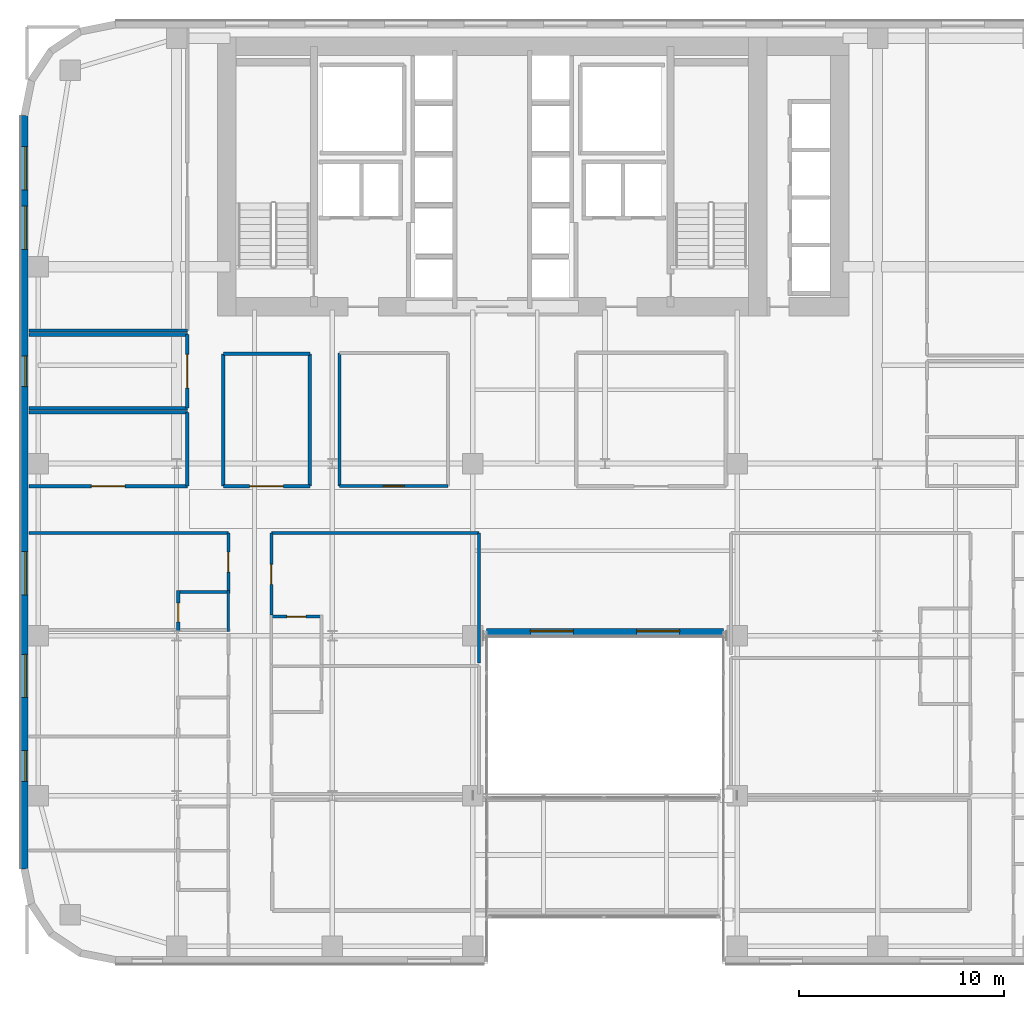
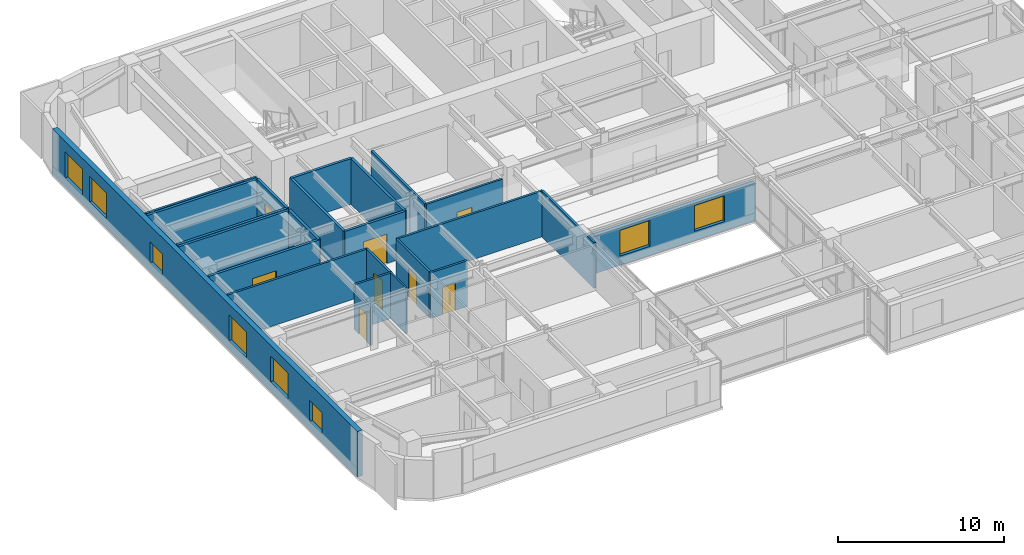
# One storey, part 22 of 31: 24 walls, 8 doors, 8 windows, 16 openings.
"""IFC4 building model written with IfcOpenShell, lengths in metres."""

import ifcopenshell
import ifcopenshell.guid

model = None  # the IFC model being written
_history = None  # IfcOwnerHistory: only IFC2X3 demands one
_inside = {}  # id of a spatial element -> (the spatial element, [elements in it])
_under = {}  # id of a project, library or spatial element -> (it, [spatial elements below it])
_declared = {}  # id of a project -> (the project, [libraries it declares])
_typed = {}  # id of a type object -> (the type object, [elements of that type])
_made_of = {}  # id of a material, layer set ... -> (it, [elements and type objects made of it])


def new_model(schema):
    """Start an empty IFC model of exactly this schema.

    Asked for "IFC4X3", IfcOpenShell would pick the latest addendum, in which some entities
    have other attributes; the version numbers below select the first issue.
    IFC2X3 requires an IfcOwnerHistory on every rooted entity: one is made here for all.
    """
    global model, _history
    if schema == "IFC4X3":
        model = ifcopenshell.file(schema_version=(4, 3, 0, 0))
    else:
        model = ifcopenshell.file(schema=schema)
    _inside.clear()
    _under.clear()
    _declared.clear()
    _typed.clear()
    _made_of.clear()
    _history = None
    if model.schema == "IFC2X3":
        org = make("IfcOrganization", Name="unknown")
        user = make(
            "IfcPersonAndOrganization",
            ThePerson=make("IfcPerson", FamilyName="unknown"),
            TheOrganization=org,
        )
        app = make(
            "IfcApplication",
            ApplicationDeveloper=org,
            Version="unknown",
            ApplicationFullName="unknown",
            ApplicationIdentifier="unknown",
        )
        _history = make(
            "IfcOwnerHistory",
            OwningUser=user,
            OwningApplication=app,
            ChangeAction="ADDED",
            CreationDate=0,
        )
    return model


def make(cls, **values):
    """One entity of the class cls with the attributes given. An attribute that is None is left unset."""
    return model.create_entity(
        cls, **{name: value for name, value in values.items() if value is not None}
    )


def rooted(cls, **values):
    """An entity with a GlobalId (a new one), such as an element, a storey or a relation."""
    return make(cls, GlobalId=ifcopenshell.guid.new(), OwnerHistory=_history, **values)


def si_unit(unit_type, name, prefix=None):
    """IfcSIUnit, for example si_unit("LENGTHUNIT", "METRE", prefix="MILLI")."""
    return make("IfcSIUnit", UnitType=unit_type, Prefix=prefix, Name=name)


def assignment(units):
    """IfcUnitAssignment: the units of a project."""
    return None if units is None else make("IfcUnitAssignment", Units=units)


def point(xyz):
    """IfcCartesianPoint."""
    return None if xyz is None else make("IfcCartesianPoint", Coordinates=xyz)


def direction(xyz):
    """IfcDirection."""
    return None if xyz is None else make("IfcDirection", DirectionRatios=xyz)


def frame(location, z_axis=None, x_axis=None):
    """IfcAxis2Placement3D, a coordinate frame: its origin and axes. An axis left out is left unset."""
    return make(
        "IfcAxis2Placement3D",
        Location=point(location),
        Axis=direction(z_axis),
        RefDirection=direction(x_axis),
    )


def frame_2d(location, x_axis=None):
    """IfcAxis2Placement2D, a coordinate frame in the plane: its origin and x axis."""
    return make(
        "IfcAxis2Placement2D", Location=point(location), RefDirection=direction(x_axis)
    )


def origin():
    """The frame at (0, 0, 0) with its axes left unset."""
    return frame((0.0, 0.0, 0.0))


def place(relative_to, where):
    """IfcLocalPlacement: puts the frame where relative to a parent placement (None: the world)."""
    return make(
        "IfcLocalPlacement", PlacementRelTo=relative_to, RelativePlacement=where
    )


def context(
    kind, dimensions, precision=None, world=None, true_north=None, identifier=None
):
    """IfcGeometricRepresentationContext, for example the 3D "Model" context."""
    return make(
        "IfcGeometricRepresentationContext",
        ContextIdentifier=identifier,
        ContextType=kind,
        CoordinateSpaceDimension=dimensions,
        Precision=precision,
        WorldCoordinateSystem=world,
        TrueNorth=true_north,
    )


def subcontext(parent, identifier, kind, view, scale=None):
    """IfcGeometricRepresentationSubContext, for example "Body" below "Model"."""
    return make(
        "IfcGeometricRepresentationSubContext",
        ContextIdentifier=identifier,
        ContextType=kind,
        ParentContext=parent,
        TargetScale=scale,
        TargetView=view,
    )


def project(units=None, contexts=None):
    """IfcProject with its units and contexts."""
    return rooted(
        "IfcProject",
        Name="project",
        RepresentationContexts=contexts,
        UnitsInContext=assignment(units),
    )


def spatial(cls, under=None, at=None, **own):
    """A site, building, storey or space (cls), placed at a placement, below another one or the project."""
    s = rooted(cls, ObjectPlacement=at, **own)
    if under is not None:
        _under.setdefault(under.id(), (under, []))[1].append(s)
    return s


def profile(cls, at=None, kind="AREA", **sizes):
    """A parametric profile (cls). Its sizes go by their IFC names, for example OverallWidth=200.0."""
    return make(cls, ProfileType=kind, Position=at, **sizes)


def rectangle(**sizes):
    """IfcRectangleProfileDef."""
    return profile("IfcRectangleProfileDef", **sizes)


def extrude(swept, where, along, depth):
    """IfcExtrudedAreaSolid: the profile swept, set in the frame where, extruded along a direction by depth."""
    return make(
        "IfcExtrudedAreaSolid",
        SweptArea=swept,
        Position=where,
        ExtrudedDirection=direction(along),
        Depth=depth,
    )


def shape(context_of_items, identifier, shape_type, items):
    """IfcShapeRepresentation: the items that make up one representation, for example the "Body"."""
    return make(
        "IfcShapeRepresentation",
        ContextOfItems=context_of_items,
        RepresentationIdentifier=identifier,
        RepresentationType=shape_type,
        Items=items,
    )


def source(mapping_origin, context_of_items, identifier, shape_type, items):
    """IfcRepresentationMap: a shape defined once, which mapped items show again and again."""
    return make(
        "IfcRepresentationMap",
        MappingOrigin=mapping_origin,
        MappedRepresentation=shape(context_of_items, identifier, shape_type, items),
    )


def transform(
    local_origin,
    x_axis=None,
    y_axis=None,
    z_axis=None,
    scale=None,
    scale2=None,
    scale3=None,
    uniform=True,
):
    """IfcCartesianTransformationOperator3D, or its non-uniform kind. x_axis, y_axis, z_axis: its Axis1, 2, 3."""
    if uniform:
        return make(
            "IfcCartesianTransformationOperator3D",
            Axis1=direction(x_axis),
            Axis2=direction(y_axis),
            LocalOrigin=point(local_origin),
            Scale=scale,
            Axis3=direction(z_axis),
        )
    return make(
        "IfcCartesianTransformationOperator3DnonUniform",
        Axis1=direction(x_axis),
        Axis2=direction(y_axis),
        LocalOrigin=point(local_origin),
        Scale=scale,
        Axis3=direction(z_axis),
        Scale2=scale2,
        Scale3=scale3,
    )


def mapped(mapping_source, mapping_target):
    """IfcMappedItem: shows the shape of a source again, moved by a transform."""
    return make(
        "IfcMappedItem", MappingSource=mapping_source, MappingTarget=mapping_target
    )


def material(Name=None, Category=None):
    """IfcMaterial."""
    return make("IfcMaterial", Name=Name, Category=Category)


def layer(
    of_material, thickness, ventilated=None, Name=None, Category=None, Priority=None
):
    """IfcMaterialLayer: one layer of a wall or slab, of a material (None: an air gap)."""
    return make(
        "IfcMaterialLayer",
        Material=of_material,
        LayerThickness=thickness,
        IsVentilated=ventilated,
        Name=Name,
        Category=Category,
        Priority=Priority,
    )


def layer_set(layers, Name=None):
    """IfcMaterialLayerSet."""
    return make("IfcMaterialLayerSet", MaterialLayers=layers, LayerSetName=Name)


def made_of(thing, what):
    """Note that an element or type object is made of a material, layer set ...; save() writes the relation."""
    if what is not None:
        _made_of.setdefault(what.id(), (what, []))[1].append(thing)
    return thing


def type_object(cls, material=None, **own):
    """A type object (cls), such as IfcWallType, which elements share."""
    return made_of(rooted(cls, **own), material)


def type_shapes(of_type, sources):
    """Give a type object the sources (RepresentationMaps) that its elements show as mapped items."""
    of_type.RepresentationMaps = sources


def element(
    cls,
    number,
    at=None,
    inside=None,
    cuts=None,
    type_object=None,
    material=None,
    context=None,
    identifier="Body",
    shape_type=None,
    held_by="IfcProductDefinitionShape",
    body=None,
    shapes=None,
    **own,
):
    """One element of the class cls, such as IfcWall. Its Tag is "e" and its number.

    at: its placement. inside: the storey or other place that contains it. cuts: it is an
    opening in that element (IfcRelVoidsElement). A single representation is given by context,
    identifier, shape_type and body (its items); several are given by shapes. held_by: the class
    of the entity that holds the representations. save() writes the other relations.
    """
    e = rooted(cls, Tag="e%d" % number, ObjectPlacement=at, **own)
    if body is not None:
        shapes = [shape(context, identifier, shape_type, body)]
    if shapes is not None:
        e.Representation = make(held_by, Representations=shapes)
    if inside is not None:
        _inside.setdefault(inside.id(), (inside, []))[1].append(e)
    if cuts is not None:
        rooted(
            "IfcRelVoidsElement", RelatingBuildingElement=cuts, RelatedOpeningElement=e
        )
    if type_object is not None:
        _typed.setdefault(type_object.id(), (type_object, []))[1].append(e)
    return made_of(e, material)


def fill(opening, filler):
    """IfcRelFillsElement: the door or window that sits in an opening."""
    return rooted(
        "IfcRelFillsElement",
        RelatingOpeningElement=opening,
        RelatedBuildingElement=filler,
    )


def aggregate(whole, parts):
    """IfcRelAggregates: a whole, such as a stair, and the parts it consists of."""
    return rooted("IfcRelAggregates", RelatingObject=whole, RelatedObjects=parts)


def save(model, path):
    """Write the relations noted so far, then the file.

    IfcRelAggregates (storeys below a building ...), IfcRelContainedInSpatialStructure (elements
    in a storey), IfcRelDefinesByType, IfcRelAssociatesMaterial and IfcRelDeclares: one each for
    every whole, place, type object, material and project.
    """
    for whole, parts in _under.values():
        aggregate(whole, parts)
    for where, things in _inside.values():
        rooted(
            "IfcRelContainedInSpatialStructure",
            RelatedElements=things,
            RelatingStructure=where,
        )
    for kind, things in _typed.values():
        rooted("IfcRelDefinesByType", RelatedObjects=things, RelatingType=kind)
    for what, things in _made_of.values():
        rooted("IfcRelAssociatesMaterial", RelatedObjects=things, RelatingMaterial=what)
    for by, libraries in _declared.values():
        rooted("IfcRelDeclares", RelatingContext=by, RelatedDefinitions=libraries)
    model.write(path)


model = new_model("IFC4")

# Units and contexts
model_context = context("Model", 3, precision=1e-05, world=origin(), true_north=direction((0.0, 1.0)))
body_context = subcontext(model_context, "Body", "Model", "MODEL_VIEW")
ifc_project = project(units=[si_unit("LENGTHUNIT", "METRE"), si_unit("AREAUNIT", "SQUARE_METRE"), si_unit("VOLUMEUNIT", "CUBIC_METRE"), si_unit("PLANEANGLEUNIT", "RADIAN"), si_unit("MASSUNIT", "GRAM", prefix="KILO")], contexts=[model_context])

# Site, building, storey
site_placement = place(None, origin())
site = spatial("IfcSite", under=ifc_project, at=site_placement, CompositionType="ELEMENT")
building_placement = place(site_placement, origin())
building = spatial("IfcBuilding", under=site, at=building_placement, Name="Tolvann Quenvar Hotel", CompositionType="ELEMENT")
storey_placement = place(building_placement, frame((0.0, 0.0, 74.60009765625)))
storey = spatial("IfcBuildingStorey", under=building, at=storey_placement, Name="L18", CompositionType="ELEMENT", Elevation=74.60009765625)

# Wall, openings, windows
ifc_material_1 = material(Name="Kiln-fired red and buff architectural clay brickwork and terracotta masonry", Category="masonry")
ifc_layer_1 = layer(ifc_material_1, 0.35009765625)
ifc_layer_set_1 = layer_set([ifc_layer_1], Name="Kiln-fired red and buff architectural clay brickwork and terracotta masonry")
wall_type_1 = type_object("IfcWallType", Name="WALL_EXT_BRICK_350", PredefinedType="SOLIDWALL", material=ifc_layer_set_1)
wall_1_placement = place(storey_placement, frame((22.7099609375, 16.175048828125, 0.0), z_axis=(0.0, 0.0, 1.0), x_axis=(1.0, 0.0, 0.0)))
wall_1 = element("IfcWall", 1, at=wall_1_placement, inside=storey, type_object=wall_type_1, Name="Exterior Chicago Brick Wall L18-E06", PredefinedType="SOLIDWALL", context=body_context, shape_type="SweptSolid", body=[
    extrude(rectangle(XDim=11.580078125, YDim=0.35009765625, at=frame_2d((5.7900390625, 0.0))), origin(), (0.0, 0.0, 1.0), 2.747802734375),
])
opening_1_placement = place(wall_1_placement, frame((2.14501953125, 0.0, 0.679931640625)))
opening_1 = element("IfcOpeningElement", 2, at=opening_1_placement, cuts=wall_1, Name="Opening W-02", PredefinedType="OPENING", context=body_context, shape_type="SweptSolid", body=[
    extrude(rectangle(XDim=2.10009765625, YDim=1.89990234375, at=frame_2d((1.050048828125, 0.949951171875))), frame((0.0, 0.18505859375, 0.0), z_axis=(0.0, -1.0, 0.0), x_axis=(1.0, 0.0, 0.0)), (0.0, 0.0, 1.0), 0.3701171875),
])
opening_2_placement = place(wall_1_placement, frame((7.3349609375, 0.0, 0.679931640625)))
opening_2 = element("IfcOpeningElement", 3, at=opening_2_placement, cuts=wall_1, Name="Opening W-02", PredefinedType="OPENING", context=body_context, shape_type="SweptSolid", body=[
    extrude(rectangle(XDim=2.10009765625, YDim=1.89990234375, at=frame_2d((1.050048828125, 0.949951171875))), frame((0.0, 0.18505859375, 0.0), z_axis=(0.0, -1.0, 0.0), x_axis=(1.0, 0.0, 0.0)), (0.0, 0.0, 1.0), 0.3701171875),
])
ifc_material_2 = material(Name="Thermally broken bronze-anodised aluminium frame with double low-E glazing", Category="aluminium")
window_type_1 = type_object("IfcWindowType", Name="WIN_CHI_2100x2050", PartitioningType="TRIPLE_PANEL_HORIZONTAL", PredefinedType="WINDOW", material=ifc_material_2)
shared_shape_1 = source(origin(), body_context, "Body", "SweptSolid", [
    extrude(rectangle(XDim=2.10009765625, YDim=1.89990234375, at=frame_2d((1.050048828125, 0.949951171875))), frame((0.0, 0.090087890625, 0.0), z_axis=(0.0, -1.0, 0.0), x_axis=(1.0, 0.0, 0.0)), (0.0, 0.0, 1.0), 0.06005859375),
])
type_shapes(window_type_1, [shared_shape_1])
window_1_placement = place(opening_1_placement, origin())
window_1 = element("IfcWindow", 4, at=window_1_placement, inside=storey, type_object=window_type_1, Name="Chicago Window W-02 (EW-L18-E06-W01)", OverallHeight=1.89990234375, OverallWidth=2.10009765625, PartitioningType="TRIPLE_PANEL_HORIZONTAL", PredefinedType="WINDOW", context=body_context, shape_type="MappedRepresentation", body=[
    mapped(shared_shape_1, transform((0.0, 0.0, 0.0), x_axis=(1.0, 0.0, 0.0), y_axis=(0.0, 1.0, 0.0), z_axis=(0.0, 0.0, 1.0), scale=1.0)),
])
fill(opening_1, window_1)
window_2_placement = place(opening_2_placement, origin())
window_2 = element("IfcWindow", 5, at=window_2_placement, inside=storey, type_object=window_type_1, Name="Chicago Window W-02 (EW-L18-E06-W02)", OverallHeight=1.89990234375, OverallWidth=2.10009765625, PartitioningType="TRIPLE_PANEL_HORIZONTAL", PredefinedType="WINDOW", context=body_context, shape_type="MappedRepresentation", body=[
    mapped(shared_shape_1, transform((0.0, 0.0, 0.0), x_axis=(1.0, 0.0, 0.0), y_axis=(0.0, 1.0, 0.0), z_axis=(0.0, 0.0, 1.0), scale=1.0)),
])
fill(opening_2, window_2)

wall_2_placement = place(storey_placement, frame((0.175048828125, 41.3828125, 0.0), z_axis=(0.0, 0.0, 1.0), x_axis=(0.0, -1.0, 0.0)))
wall_2 = element("IfcWall", 6, at=wall_2_placement, inside=storey, type_object=wall_type_1, Name="Exterior Chicago Brick Wall L18-E23", PredefinedType="SOLIDWALL", context=body_context, shape_type="SweptSolid", body=[
    extrude(rectangle(XDim=36.765625, YDim=0.35009765625, at=frame_2d((18.3828125, 0.0))), origin(), (0.0, 0.0, 1.0), 3.369873046875),
])
opening_3_placement = place(wall_2_placement, frame((1.52587890625, 0.0, 0.679931640625)))
opening_3 = element("IfcOpeningElement", 7, at=opening_3_placement, cuts=wall_2, Name="Opening W-02", PredefinedType="OPENING", context=body_context, shape_type="SweptSolid", body=[
    extrude(rectangle(XDim=2.10009765625, YDim=1.89990234375, at=frame_2d((1.050048828125, 0.949951171875))), frame((0.0, 0.18505859375, 0.0), z_axis=(0.0, -1.0, 0.0), x_axis=(1.0, 0.0, 0.0)), (0.0, 0.0, 1.0), 0.3701171875),
])
opening_4_placement = place(wall_2_placement, frame((4.427978515625, 0.0, 0.679931640625)))
opening_4 = element("IfcOpeningElement", 8, at=opening_4_placement, cuts=wall_2, Name="Opening W-02", PredefinedType="OPENING", context=body_context, shape_type="SweptSolid", body=[
    extrude(rectangle(XDim=2.10009765625, YDim=1.89990234375, at=frame_2d((1.050048828125, 0.949951171875))), frame((0.0, 0.18505859375, 0.0), z_axis=(0.0, -1.0, 0.0), x_axis=(1.0, 0.0, 0.0)), (0.0, 0.0, 1.0), 0.3701171875),
])
opening_5_placement = place(wall_2_placement, frame((21.284912109375, 0.0, 0.679931640625)))
opening_5 = element("IfcOpeningElement", 9, at=opening_5_placement, cuts=wall_2, Name="Opening W-02", PredefinedType="OPENING", context=body_context, shape_type="SweptSolid", body=[
    extrude(rectangle(XDim=2.10009765625, YDim=1.89990234375, at=frame_2d((1.050048828125, 0.949951171875))), frame((0.0, 0.18505859375, 0.0), z_axis=(0.0, -1.0, 0.0), x_axis=(1.0, 0.0, 0.0)), (0.0, 0.0, 1.0), 0.3701171875),
])
opening_6_placement = place(wall_2_placement, frame((26.285888671875, 0.0, 0.679931640625)))
opening_6 = element("IfcOpeningElement", 10, at=opening_6_placement, cuts=wall_2, Name="Opening W-02", PredefinedType="OPENING", context=body_context, shape_type="SweptSolid", body=[
    extrude(rectangle(XDim=2.10009765625, YDim=1.89990234375, at=frame_2d((1.050048828125, 0.949951171875))), frame((0.0, 0.18505859375, 0.0), z_axis=(0.0, -1.0, 0.0), x_axis=(1.0, 0.0, 0.0)), (0.0, 0.0, 1.0), 0.3701171875),
])
opening_7_placement = place(wall_2_placement, frame((30.992919921875, 0.0, 0.6201171875)))
opening_7 = element("IfcOpeningElement", 11, at=opening_7_placement, cuts=wall_2, Name="Opening W-08", PredefinedType="OPENING", context=body_context, shape_type="SweptSolid", body=[
    extrude(rectangle(XDim=1.5, YDim=1.550048828125, at=frame_2d((0.75, 0.77490234375))), frame((0.0, 0.18505859375, 0.0), z_axis=(0.0, -1.0, 0.0), x_axis=(1.0, 0.0, 0.0)), (0.0, 0.0, 1.0), 0.3701171875),
])
opening_8_placement = place(wall_2_placement, frame((11.73291015625, 0.0, 0.6201171875)))
opening_8 = element("IfcOpeningElement", 12, at=opening_8_placement, cuts=wall_2, Name="Opening W-08", PredefinedType="OPENING", context=body_context, shape_type="SweptSolid", body=[
    extrude(rectangle(XDim=1.5, YDim=1.550048828125, at=frame_2d((0.75, 0.77490234375))), frame((0.0, 0.18505859375, 0.0), z_axis=(0.0, -1.0, 0.0), x_axis=(1.0, 0.0, 0.0)), (0.0, 0.0, 1.0), 0.3701171875),
])
window_type_2 = type_object("IfcWindowType", Name="WIN_COR_1500x2050", PartitioningType="SINGLE_PANEL", PredefinedType="WINDOW", material=ifc_material_2)
shared_shape_2 = source(origin(), body_context, "Body", "SweptSolid", [
    extrude(rectangle(XDim=1.5, YDim=1.550048828125, at=frame_2d((0.75, 0.77490234375))), frame((0.0, 0.090087890625, 0.0), z_axis=(0.0, -1.0, 0.0), x_axis=(1.0, 0.0, 0.0)), (0.0, 0.0, 1.0), 0.06005859375),
])
type_shapes(window_type_2, [shared_shape_2])
window_3_placement = place(opening_7_placement, origin())
window_3 = element("IfcWindow", 13, at=window_3_placement, inside=storey, type_object=window_type_2, Name="Chicago Window W-08 (EW-L18-E23-WD05)", OverallHeight=1.550048828125, OverallWidth=1.5, PartitioningType="SINGLE_PANEL", PredefinedType="WINDOW", context=body_context, shape_type="MappedRepresentation", body=[
    mapped(shared_shape_2, transform((0.0, 0.0, 0.0), x_axis=(1.0, 0.0, 0.0), y_axis=(0.0, 1.0, 0.0), z_axis=(0.0, 0.0, 1.0), scale=1.0)),
])
fill(opening_7, window_3)
window_4_placement = place(opening_8_placement, origin())
window_4 = element("IfcWindow", 14, at=window_4_placement, inside=storey, type_object=window_type_2, Name="Chicago Window W-08 (EW-L18-E23-WD06)", OverallHeight=1.550048828125, OverallWidth=1.5, PartitioningType="SINGLE_PANEL", PredefinedType="WINDOW", context=body_context, shape_type="MappedRepresentation", body=[
    mapped(shared_shape_2, transform((0.0, 0.0, 0.0), x_axis=(1.0, 0.0, 0.0), y_axis=(0.0, 1.0, 0.0), z_axis=(0.0, 0.0, 1.0), scale=1.0)),
])
fill(opening_8, window_4)
window_5_placement = place(opening_3_placement, origin())
window_5 = element("IfcWindow", 15, at=window_5_placement, inside=storey, type_object=window_type_1, Name="Chicago Window W-02 (EW-L18-E23-W01)", OverallHeight=1.89990234375, OverallWidth=2.10009765625, PartitioningType="TRIPLE_PANEL_HORIZONTAL", PredefinedType="WINDOW", context=body_context, shape_type="MappedRepresentation", body=[
    mapped(shared_shape_1, transform((0.0, 0.0, 0.0), x_axis=(1.0, 0.0, 0.0), y_axis=(0.0, 1.0, 0.0), z_axis=(0.0, 0.0, 1.0), scale=1.0)),
])
fill(opening_3, window_5)
window_6_placement = place(opening_4_placement, origin())
window_6 = element("IfcWindow", 16, at=window_6_placement, inside=storey, type_object=window_type_1, Name="Chicago Window W-02 (EW-L18-E23-W02)", OverallHeight=1.89990234375, OverallWidth=2.10009765625, PartitioningType="TRIPLE_PANEL_HORIZONTAL", PredefinedType="WINDOW", context=body_context, shape_type="MappedRepresentation", body=[
    mapped(shared_shape_1, transform((0.0, 0.0, 0.0), x_axis=(1.0, 0.0, 0.0), y_axis=(0.0, 1.0, 0.0), z_axis=(0.0, 0.0, 1.0), scale=1.0)),
])
fill(opening_4, window_6)
window_7_placement = place(opening_5_placement, origin())
window_7 = element("IfcWindow", 17, at=window_7_placement, inside=storey, type_object=window_type_1, Name="Chicago Window W-02 (EW-L18-E23-W03)", OverallHeight=1.89990234375, OverallWidth=2.10009765625, PartitioningType="TRIPLE_PANEL_HORIZONTAL", PredefinedType="WINDOW", context=body_context, shape_type="MappedRepresentation", body=[
    mapped(shared_shape_1, transform((0.0, 0.0, 0.0), x_axis=(1.0, 0.0, 0.0), y_axis=(0.0, 1.0, 0.0), z_axis=(0.0, 0.0, 1.0), scale=1.0)),
])
fill(opening_5, window_7)
window_8_placement = place(opening_6_placement, origin())
window_8 = element("IfcWindow", 18, at=window_8_placement, inside=storey, type_object=window_type_1, Name="Chicago Window W-02 (EW-L18-E23-W04)", OverallHeight=1.89990234375, OverallWidth=2.10009765625, PartitioningType="TRIPLE_PANEL_HORIZONTAL", PredefinedType="WINDOW", context=body_context, shape_type="MappedRepresentation", body=[
    mapped(shared_shape_1, transform((0.0, 0.0, 0.0), x_axis=(1.0, 0.0, 0.0), y_axis=(0.0, 1.0, 0.0), z_axis=(0.0, 0.0, 1.0), scale=1.0)),
])
fill(opening_6, window_8)

# Wall, opening, door
ifc_material_3 = material(Name="Acoustic twin-stud fire-rated gypsum plasterboard partition")
ifc_layer_2 = layer(ifc_material_3, 0.179931640625)
ifc_layer_set_2 = layer_set([ifc_layer_2], Name="Acoustic twin-stud fire-rated gypsum plasterboard partition")
wall_type_2 = type_object("IfcWallType", Name="WALL_PART_ACOUSTIC_180", PredefinedType="PARTITIONING", material=ifc_layer_set_2)
wall_3_placement = place(storey_placement, frame((0.405029296875, 23.300048828125, 0.0), z_axis=(0.0, 0.0, 1.0), x_axis=(1.0, 0.0, 0.0)))
wall_3 = element("IfcWall", 19, at=wall_3_placement, inside=storey, type_object=wall_type_2, Name="Interior Partition PT-SPC-L18-SAL-S", PredefinedType="PARTITIONING", context=body_context, shape_type="SweptSolid", body=[
    extrude(rectangle(XDim=7.715087890625, YDim=0.179931640625, at=frame_2d((3.857421875, 0.0))), origin(), (0.0, 0.0, 1.0), 3.369873046875),
])
opening_9_placement = place(wall_3_placement, frame((3.032470703125, 0.0, 0.0)))
opening_9 = element("IfcOpeningElement", 20, at=opening_9_placement, cuts=wall_3, Name="Opening AD-01", PredefinedType="OPENING", context=body_context, shape_type="SweptSolid", body=[
    extrude(rectangle(XDim=1.64990234375, YDim=2.14990234375, at=frame_2d((0.824951171875, 1.074951171875))), frame((0.0, 0.10009765625, 0.0), z_axis=(0.0, -1.0, 0.0), x_axis=(1.0, 0.0, 0.0)), (0.0, 0.0, 1.0), 0.199951171875),
])
ifc_material_4 = material(Name="Solid-core American oak acoustic fire door leaf in steel frame", Category="steel")
door_type_1 = type_object("IfcDoorType", Name="DOOR_SALON_1650", OperationType="NOTDEFINED", PredefinedType="DOOR", material=ifc_material_4)
shared_shape_3 = source(origin(), body_context, "Body", "SweptSolid", [
    extrude(rectangle(XDim=1.64990234375, YDim=2.14990234375, at=frame_2d((0.824951171875, 1.074951171875))), frame((0.0, 0.02490234375, 0.0), z_axis=(0.0, -1.0, 0.0), x_axis=(1.0, 0.0, 0.0)), (0.0, 0.0, 1.0), 0.050048828125),
])
type_shapes(door_type_1, [shared_shape_3])
door_1_placement = place(opening_9_placement, origin())
door_1 = element("IfcDoor", 21, at=door_1_placement, inside=storey, type_object=door_type_1, Name="Interior Door DOOR-SPC-L18-SAL", OperationType="DOUBLE_DOOR_SINGLE_SWING", OverallHeight=2.14990234375, OverallWidth=1.64990234375, PredefinedType="DOOR", context=body_context, shape_type="MappedRepresentation", body=[
    mapped(shared_shape_3, transform((0.0, 0.0, 0.0), x_axis=(1.0, 0.0, 0.0), y_axis=(0.0, 1.0, 0.0), z_axis=(0.0, 0.0, 1.0), scale=1.0)),
])
fill(opening_9, door_1)

# Walls
wall_4_placement = place(storey_placement, frame((0.405029296875, 26.89990234375, 0.0), z_axis=(0.0, 0.0, 1.0), x_axis=(1.0, 0.0, 0.0)))
element("IfcWall", 22, at=wall_4_placement, inside=storey, type_object=wall_type_2, Name="Interior Partition PT-SPC-L18-SAL-N", PredefinedType="PARTITIONING", context=body_context, shape_type="SweptSolid", body=[
    extrude(rectangle(XDim=7.715087890625, YDim=0.179931640625, at=frame_2d((3.857421875, 0.0))), origin(), (0.0, 0.0, 1.0), 3.369873046875),
])
wall_5_placement = place(storey_placement, frame((8.1201171875, 23.300048828125, 0.0), z_axis=(0.0, 0.0, 1.0), x_axis=(0.0, 1.0, 0.0)))
element("IfcWall", 23, at=wall_5_placement, inside=storey, type_object=wall_type_2, Name="Interior Partition PT-SPC-L18-SAL-E", PredefinedType="PARTITIONING", context=body_context, shape_type="SweptSolid", body=[
    extrude(rectangle(XDim=3.599853515625, YDim=0.179931640625, at=frame_2d((1.7998046875, 0.0))), origin(), (0.0, 0.0, 1.0), 3.369873046875),
])
for number, where, z_axis, x_axis, name in (
    (24, (0.405029296875, 27.10009765625, 0.0), (0.0, 0.0, 1.0), (1.0, 0.0, 0.0), "Interior Partition PT-SPC-L18-MTG-S"),
    (25, (0.405029296875, 30.699951171875, 0.0), (0.0, 0.0, 1.0), (1.0, 0.0, 0.0), "Interior Partition PT-SPC-L18-MTG-N"),
):
    element("IfcWall", number, at=place(storey_placement, frame(where, z_axis=z_axis, x_axis=x_axis)), inside=storey, type_object=wall_type_2, Name=name, PredefinedType="PARTITIONING", context=body_context, shape_type="SweptSolid", body=[
        extrude(rectangle(XDim=7.715087890625, YDim=0.179931640625, at=frame_2d((3.857421875, 0.0))), origin(), (0.0, 0.0, 1.0), 3.369873046875),
    ])

# Wall, opening, door
wall_6_placement = place(storey_placement, frame((8.1201171875, 27.10009765625, 0.0), z_axis=(0.0, 0.0, 1.0), x_axis=(0.0, 1.0, 0.0)))
wall_6 = element("IfcWall", 26, at=wall_6_placement, inside=storey, type_object=wall_type_2, Name="Interior Partition PT-SPC-L18-MTG-E", PredefinedType="PARTITIONING", context=body_context, shape_type="SweptSolid", body=[
    extrude(rectangle(XDim=3.599853515625, YDim=0.179931640625, at=frame_2d((1.7998046875, 0.0))), origin(), (0.0, 0.0, 1.0), 3.369873046875),
])
opening_10_placement = place(wall_6_placement, frame((0.97509765625, 0.0, 0.0)))
opening_10 = element("IfcOpeningElement", 27, at=opening_10_placement, cuts=wall_6, Name="Opening AD-01", PredefinedType="OPENING", context=body_context, shape_type="SweptSolid", body=[
    extrude(rectangle(XDim=1.64990234375, YDim=2.14990234375, at=frame_2d((0.824951171875, 1.074951171875))), frame((0.0, 0.10009765625, 0.0), z_axis=(0.0, -1.0, 0.0), x_axis=(1.0, 0.0, 0.0)), (0.0, 0.0, 1.0), 0.199951171875),
])
door_2_placement = place(opening_10_placement, origin())
door_2 = element("IfcDoor", 28, at=door_2_placement, inside=storey, type_object=door_type_1, Name="Interior Door DOOR-SPC-L18-MTG", OperationType="DOUBLE_DOOR_SINGLE_SWING", OverallHeight=2.14990234375, OverallWidth=1.64990234375, PredefinedType="DOOR", context=body_context, shape_type="MappedRepresentation", body=[
    mapped(shared_shape_3, transform((0.0, 0.0, 0.0), x_axis=(1.0, 0.0, 0.0), y_axis=(0.0, 1.0, 0.0), z_axis=(0.0, 0.0, 1.0), scale=1.0)),
])
fill(opening_10, door_2)

wall_7_placement = place(storey_placement, frame((9.8798828125, 23.300048828125, 0.0), z_axis=(0.0, 0.0, 1.0), x_axis=(1.0, 0.0, 0.0)))
wall_7 = element("IfcWall", 29, at=wall_7_placement, inside=storey, type_object=wall_type_2, Name="Interior Partition PT-SPC-L18-MSP-W-S", PredefinedType="PARTITIONING", context=body_context, shape_type="SweptSolid", body=[
    extrude(rectangle(XDim=4.22021484375, YDim=0.179931640625, at=frame_2d((2.110107421875, 0.0))), origin(), (0.0, 0.0, 1.0), 3.369873046875),
])
opening_11_placement = place(wall_7_placement, frame((1.284912109375, 0.0, 0.0)))
opening_11 = element("IfcOpeningElement", 30, at=opening_11_placement, cuts=wall_7, Name="Opening AD-01", PredefinedType="OPENING", context=body_context, shape_type="SweptSolid", body=[
    extrude(rectangle(XDim=1.64990234375, YDim=2.14990234375, at=frame_2d((0.824951171875, 1.074951171875))), frame((0.0, 0.10009765625, 0.0), z_axis=(0.0, -1.0, 0.0), x_axis=(1.0, 0.0, 0.0)), (0.0, 0.0, 1.0), 0.199951171875),
])
door_3_placement = place(opening_11_placement, origin())
door_3 = element("IfcDoor", 31, at=door_3_placement, inside=storey, type_object=door_type_1, Name="Interior Door DOOR-SPC-L18-MSP-W", OperationType="DOUBLE_DOOR_SINGLE_SWING", OverallHeight=2.14990234375, OverallWidth=1.64990234375, PredefinedType="DOOR", context=body_context, shape_type="MappedRepresentation", body=[
    mapped(shared_shape_3, transform((0.0, 0.0, 0.0), x_axis=(1.0, 0.0, 0.0), y_axis=(0.0, 1.0, 0.0), z_axis=(0.0, 0.0, 1.0), scale=1.0)),
])
fill(opening_11, door_3)

# Walls
wall_8_placement = place(storey_placement, frame((9.8798828125, 29.75, 0.0), z_axis=(0.0, 0.0, 1.0), x_axis=(1.0, 0.0, 0.0)))
element("IfcWall", 32, at=wall_8_placement, inside=storey, type_object=wall_type_2, Name="Interior Partition PT-SPC-L18-MSP-W-N", PredefinedType="PARTITIONING", context=body_context, shape_type="SweptSolid", body=[
    extrude(rectangle(XDim=4.22021484375, YDim=0.179931640625, at=frame_2d((2.110107421875, 0.0))), origin(), (0.0, 0.0, 1.0), 3.369873046875),
])
for number, where, z_axis, x_axis, name in (
    (33, (9.8798828125, 23.300048828125, 0.0), (0.0, 0.0, 1.0), (0.0, 1.0, 0.0), "Interior Partition PT-SPC-L18-MSP-W-W"),
    (34, (14.10009765625, 23.300048828125, 0.0), (0.0, 0.0, 1.0), (0.0, 1.0, 0.0), "Interior Partition PT-SPC-L18-MSP-W-E"),
):
    element("IfcWall", number, at=place(storey_placement, frame(where, z_axis=z_axis, x_axis=x_axis)), inside=storey, type_object=wall_type_2, Name=name, PredefinedType="PARTITIONING", context=body_context, shape_type="SweptSolid", body=[
        extrude(rectangle(XDim=6.449951171875, YDim=0.179931640625, at=frame_2d((3.22509765625, 0.0))), origin(), (0.0, 0.0, 1.0), 3.369873046875),
    ])
ifc_material_5 = material(Name="Moisture-resistant acoustic plumbing wall assembly")
ifc_layer_3 = layer(ifc_material_5, 0.1201171875)
ifc_layer_set_3 = layer_set([ifc_layer_3], Name="Moisture-resistant acoustic plumbing wall assembly")
wall_type_3 = type_object("IfcWallType", Name="WALL_PART_BATH_120", PredefinedType="PLUMBINGWALL", material=ifc_layer_set_3)
wall_9_placement = place(storey_placement, frame((10.1298828125, 16.2099609375, 0.0), z_axis=(0.0, 0.0, 1.0), x_axis=(0.0, 1.0, 0.0)))
element("IfcWall", 35, at=wall_9_placement, inside=storey, type_object=wall_type_3, Name="Non-Rated Plumbing Partition PT-SPC-L18-ENS-WO04-E", PredefinedType="PLUMBINGWALL", context=body_context, shape_type="SweptSolid", body=[
    extrude(rectangle(XDim=1.989990234375, YDim=0.1201171875, at=frame_2d((0.9951171875, 0.0))), origin(), (0.0, 0.0, 1.0), 3.369873046875),
])

# Wall, opening, door
ifc_layer_4 = layer(ifc_material_3, 0.14990234375)
ifc_layer_set_4 = layer_set([ifc_layer_4], Name="Acoustic twin-stud fire-rated gypsum plasterboard partition")
wall_type_4 = type_object("IfcWallType", Name="WALL_PART_SUITE_150", PredefinedType="PARTITIONING", material=ifc_layer_set_4)
wall_10_placement = place(storey_placement, frame((7.679931640625, 16.2099609375, 0.0), z_axis=(0.0, 0.0, 1.0), x_axis=(0.0, 1.0, 0.0)))
wall_10 = element("IfcWall", 36, at=wall_10_placement, inside=storey, type_object=wall_type_4, Name="Interior Partition PT-SPC-L18-ENS-WO04-ENT", PredefinedType="PARTITIONING", context=body_context, shape_type="SweptSolid", body=[
    extrude(rectangle(XDim=1.989990234375, YDim=0.14990234375, at=frame_2d((0.9951171875, 0.0))), origin(), (0.0, 0.0, 1.0), 2.826904296875),
])
opening_12_placement = place(wall_10_placement, frame((0.465087890625, 0.0, 0.0)))
opening_12 = element("IfcOpeningElement", 37, at=opening_12_placement, cuts=wall_10, Name="Opening WD-01", PredefinedType="OPENING", context=body_context, shape_type="SweptSolid", body=[
    extrude(rectangle(XDim=0.919921875, YDim=2.010009765625, at=frame_2d((0.4599609375, 1.0048828125))), frame((0.0, 0.0849609375, 0.0), z_axis=(0.0, -1.0, 0.0), x_axis=(1.0, 0.0, 0.0)), (0.0, 0.0, 1.0), 0.169921875),
])
door_type_2 = type_object("IfcDoorType", Name="DOOR_WC_920", OperationType="NOTDEFINED", PredefinedType="DOOR", material=ifc_material_4)
shared_shape_4 = source(origin(), body_context, "Body", "SweptSolid", [
    extrude(rectangle(XDim=0.919921875, YDim=2.010009765625, at=frame_2d((0.4599609375, 1.0048828125))), frame((0.0, 0.02490234375, 0.0), z_axis=(0.0, -1.0, 0.0), x_axis=(1.0, 0.0, 0.0)), (0.0, 0.0, 1.0), 0.050048828125),
])
type_shapes(door_type_2, [shared_shape_4])
door_4_placement = place(opening_12_placement, origin())
door_4 = element("IfcDoor", 38, at=door_4_placement, inside=storey, type_object=door_type_2, Name="Interior Door DOOR-SPC-L18-ENS-WO04", OperationType="SINGLE_SWING_LEFT", OverallHeight=2.010009765625, OverallWidth=0.919921875, PredefinedType="DOOR", context=body_context, shape_type="MappedRepresentation", body=[
    mapped(shared_shape_4, transform((0.0, 0.0, 0.0), x_axis=(1.0, 0.0, 0.0), y_axis=(0.0, 1.0, 0.0), z_axis=(0.0, 0.0, 1.0), scale=1.0)),
])
fill(opening_12, door_4)

# Wall
wall_11_placement = place(storey_placement, frame((7.610107421875, 18.1298828125, 0.0), z_axis=(0.0, 0.0, 1.0), x_axis=(1.0, 0.0, 0.0)))
element("IfcWall", 39, at=wall_11_placement, inside=storey, type_object=wall_type_4, Name="Interior Partition PT-SPC-L18-ENS-WO04-N", PredefinedType="PARTITIONING", context=body_context, shape_type="SweptSolid", body=[
    extrude(rectangle(XDim=2.58984375, YDim=0.14990234375, at=frame_2d((1.294921875, 0.0))), origin(), (0.0, 0.0, 1.0), 3.369873046875),
])

# Wall, opening, door
wall_12_placement = place(storey_placement, frame((12.14990234375, 16.929931640625, 0.0), z_axis=(0.0, 0.0, 1.0), x_axis=(1.0, 0.0, 0.0)))
wall_12 = element("IfcWall", 40, at=wall_12_placement, inside=storey, type_object=wall_type_4, Name="Interior Partition PT-SPC-L18-ENS-WI02-N", PredefinedType="PARTITIONING", context=body_context, shape_type="SweptSolid", body=[
    extrude(rectangle(XDim=2.590087890625, YDim=0.14990234375, at=frame_2d((1.294921875, 0.0))), origin(), (0.0, 0.0, 1.0), 3.369873046875),
])
opening_13_placement = place(wall_12_placement, frame((0.8349609375, 0.0, 0.0)))
opening_13 = element("IfcOpeningElement", 41, at=opening_13_placement, cuts=wall_12, Name="Opening WD-01", PredefinedType="OPENING", context=body_context, shape_type="SweptSolid", body=[
    extrude(rectangle(XDim=0.919921875, YDim=2.010009765625, at=frame_2d((0.4599609375, 1.0048828125))), frame((0.0, 0.0849609375, 0.0), z_axis=(0.0, -1.0, 0.0), x_axis=(1.0, 0.0, 0.0)), (0.0, 0.0, 1.0), 0.169921875),
])
door_5_placement = place(opening_13_placement, origin())
door_5 = element("IfcDoor", 42, at=door_5_placement, inside=storey, type_object=door_type_2, Name="Interior Door DOOR-SPC-L18-ENS-WI02", OperationType="SINGLE_SWING_LEFT", OverallHeight=2.010009765625, OverallWidth=0.919921875, PredefinedType="DOOR", context=body_context, shape_type="MappedRepresentation", body=[
    mapped(shared_shape_4, transform((0.0, 0.0, 0.0), x_axis=(1.0, 0.0, 0.0), y_axis=(0.0, 1.0, 0.0), z_axis=(0.0, 0.0, 1.0), scale=1.0)),
])
fill(opening_13, door_5)

wall_13_placement = place(storey_placement, frame((10.1298828125, 18.2099609375, 0.0), z_axis=(0.0, 0.0, 1.0), x_axis=(0.0, 1.0, 0.0)))
wall_13 = element("IfcWall", 43, at=wall_13_placement, inside=storey, type_object=wall_type_4, Name="Interior Partition PT-SPC-L18-RM-WO04-ENT", PredefinedType="PARTITIONING", context=body_context, shape_type="SweptSolid", body=[
    extrude(rectangle(XDim=2.81005859375, YDim=0.14990234375, at=frame_2d((1.405029296875, 0.0))), origin(), (0.0, 0.0, 1.0), 3.369873046875),
])
opening_14_placement = place(wall_13_placement, frame((0.89501953125, 0.0, 0.0)))
opening_14 = element("IfcOpeningElement", 44, at=opening_14_placement, cuts=wall_13, Name="Opening SD-01", PredefinedType="OPENING", context=body_context, shape_type="SweptSolid", body=[
    extrude(rectangle(XDim=0.97998046875, YDim=2.1201171875, at=frame_2d((0.489990234375, 1.06005859375))), frame((0.0, 0.0849609375, 0.0), z_axis=(0.0, -1.0, 0.0), x_axis=(1.0, 0.0, 0.0)), (0.0, 0.0, 1.0), 0.169921875),
])
door_type_3 = type_object("IfcDoorType", Name="DOOR_SUITE_980", OperationType="NOTDEFINED", PredefinedType="DOOR", material=ifc_material_4)
shared_shape_5 = source(origin(), body_context, "Body", "SweptSolid", [
    extrude(rectangle(XDim=0.97998046875, YDim=2.1201171875, at=frame_2d((0.489990234375, 1.06005859375))), frame((0.0, 0.02490234375, 0.0), z_axis=(0.0, -1.0, 0.0), x_axis=(1.0, 0.0, 0.0)), (0.0, 0.0, 1.0), 0.050048828125),
])
type_shapes(door_type_3, [shared_shape_5])
door_6_placement = place(opening_14_placement, origin())
door_6 = element("IfcDoor", 45, at=door_6_placement, inside=storey, type_object=door_type_3, Name="Interior Door DOOR-SPC-L18-RM-WO04", OperationType="SINGLE_SWING_LEFT", OverallHeight=2.1201171875, OverallWidth=0.97998046875, PredefinedType="DOOR", context=body_context, shape_type="MappedRepresentation", body=[
    mapped(shared_shape_5, transform((0.0, 0.0, 0.0), x_axis=(1.0, 0.0, 0.0), y_axis=(0.0, 1.0, 0.0), z_axis=(0.0, 0.0, 1.0), scale=1.0)),
])
fill(opening_14, door_6)

# Wall
wall_14_placement = place(storey_placement, frame((0.405029296875, 21.02001953125, 0.0), z_axis=(0.0, 0.0, 1.0), x_axis=(1.0, 0.0, 0.0)))
element("IfcWall", 46, at=wall_14_placement, inside=storey, type_object=wall_type_4, Name="Interior Partition PT-SPC-L18-RM-WO04-E5", PredefinedType="PARTITIONING", context=body_context, shape_type="SweptSolid", body=[
    extrude(rectangle(XDim=9.724853515625, YDim=0.14990234375, at=frame_2d((4.8623046875, 0.0))), origin(), (0.0, 0.0, 1.0), 3.369873046875),
])

# Wall, opening, door
wall_15_placement = place(storey_placement, frame((12.219970703125, 17.010009765625, 0.0), z_axis=(0.0, 0.0, 1.0), x_axis=(0.0, 1.0, 0.0)))
wall_15 = element("IfcWall", 47, at=wall_15_placement, inside=storey, type_object=wall_type_4, Name="Interior Partition PT-SPC-L18-RM-WI02-ENT", PredefinedType="PARTITIONING", context=body_context, shape_type="SweptSolid", body=[
    extrude(rectangle(XDim=4.010009765625, YDim=0.14990234375, at=frame_2d((2.0048828125, 0.0))), origin(), (0.0, 0.0, 1.0), 3.369873046875),
])
opening_15_placement = place(wall_15_placement, frame((1.4951171875, 0.0, 0.0)))
opening_15 = element("IfcOpeningElement", 48, at=opening_15_placement, cuts=wall_15, Name="Opening SD-01", PredefinedType="OPENING", context=body_context, shape_type="SweptSolid", body=[
    extrude(rectangle(XDim=0.97998046875, YDim=2.1201171875, at=frame_2d((0.489990234375, 1.06005859375))), frame((0.0, 0.0849609375, 0.0), z_axis=(0.0, -1.0, 0.0), x_axis=(1.0, 0.0, 0.0)), (0.0, 0.0, 1.0), 0.169921875),
])
door_7_placement = place(opening_15_placement, origin())
door_7 = element("IfcDoor", 49, at=door_7_placement, inside=storey, type_object=door_type_3, Name="Interior Door DOOR-SPC-L18-RM-WI02", OperationType="SINGLE_SWING_LEFT", OverallHeight=2.1201171875, OverallWidth=0.97998046875, PredefinedType="DOOR", context=body_context, shape_type="MappedRepresentation", body=[
    mapped(shared_shape_5, transform((0.0, 0.0, 0.0), x_axis=(1.0, 0.0, 0.0), y_axis=(0.0, 1.0, 0.0), z_axis=(0.0, 0.0, 1.0), scale=1.0)),
])
fill(opening_15, door_7)

# Walls
wall_16_placement = place(storey_placement, frame((22.35009765625, 14.679931640625, 0.0), z_axis=(0.0, 0.0, 1.0), x_axis=(0.0, 1.0, 0.0)))
element("IfcWall", 50, at=wall_16_placement, inside=storey, type_object=wall_type_4, Name="Interior Partition PT-SPC-L18-RM-WI02-E4", PredefinedType="PARTITIONING", context=body_context, shape_type="SweptSolid", body=[
    extrude(rectangle(XDim=6.340087890625, YDim=0.14990234375, at=frame_2d((3.169921875, 0.0))), origin(), (0.0, 0.0, 1.0), 3.369873046875),
])
wall_17_placement = place(storey_placement, frame((12.219970703125, 21.02001953125, 0.0), z_axis=(0.0, 0.0, 1.0), x_axis=(1.0, 0.0, 0.0)))
element("IfcWall", 51, at=wall_17_placement, inside=storey, type_object=wall_type_4, Name="Interior Partition PT-SPC-L18-RM-WI02-E5", PredefinedType="PARTITIONING", context=body_context, shape_type="SweptSolid", body=[
    extrude(rectangle(XDim=10.130126953125, YDim=0.14990234375, at=frame_2d((5.06494140625, 0.0))), origin(), (0.0, 0.0, 1.0), 3.369873046875),
])
wall_18_placement = place(storey_placement, frame((0.405029296875, 30.89990234375, 0.0), z_axis=(0.0, 0.0, 1.0), x_axis=(1.0, 0.0, 0.0)))
element("IfcWall", 52, at=wall_18_placement, inside=storey, type_object=wall_type_4, Name="Interior Partition PT-SPC-L18-TEA-S", PredefinedType="PARTITIONING", context=body_context, shape_type="SweptSolid", body=[
    extrude(rectangle(XDim=7.715087890625, YDim=0.14990234375, at=frame_2d((3.857421875, 0.0))), origin(), (0.0, 0.0, 1.0), 3.369873046875),
])

# Wall, opening, door
wall_19_placement = place(storey_placement, frame((15.550048828125, 23.300048828125, 0.0), z_axis=(0.0, 0.0, 1.0), x_axis=(1.0, 0.0, 0.0)))
wall_19 = element("IfcWall", 53, at=wall_19_placement, inside=storey, type_object=wall_type_4, Name="Interior Partition PT-SPC-L18-MSP-N-S", PredefinedType="PARTITIONING", context=body_context, shape_type="SweptSolid", body=[
    extrude(rectangle(XDim=5.300048828125, YDim=0.14990234375, at=frame_2d((2.64990234375, 0.0))), origin(), (0.0, 0.0, 1.0), 3.369873046875),
])
opening_16_placement = place(wall_19_placement, frame((2.139892578125, 0.0, 0.0)))
opening_16 = element("IfcOpeningElement", 54, at=opening_16_placement, cuts=wall_19, Name="Opening HD-01", PredefinedType="OPENING", context=body_context, shape_type="SweptSolid", body=[
    extrude(rectangle(XDim=1.02001953125, YDim=2.030029296875, at=frame_2d((0.510009765625, 1.01513671875))), frame((0.0, 0.0849609375, 0.0), z_axis=(0.0, -1.0, 0.0), x_axis=(1.0, 0.0, 0.0)), (0.0, 0.0, 1.0), 0.169921875),
])
ifc_material_6 = material(Name="Pressed galvanised steel fire-rated door set", Category="steel")
door_type_4 = type_object("IfcDoorType", Name="DOOR_BOH_1020", OperationType="NOTDEFINED", PredefinedType="DOOR", material=ifc_material_6)
shared_shape_6 = source(origin(), body_context, "Body", "SweptSolid", [
    extrude(rectangle(XDim=1.02001953125, YDim=2.030029296875, at=frame_2d((0.510009765625, 1.01513671875))), frame((0.0, 0.02490234375, 0.0), z_axis=(0.0, -1.0, 0.0), x_axis=(1.0, 0.0, 0.0)), (0.0, 0.0, 1.0), 0.050048828125),
])
type_shapes(door_type_4, [shared_shape_6])
door_8_placement = place(opening_16_placement, origin())
door_8 = element("IfcDoor", 55, at=door_8_placement, inside=storey, type_object=door_type_4, Name="Interior Door DOOR-SPC-L18-MSP-N", OperationType="SINGLE_SWING_LEFT", OverallHeight=2.030029296875, OverallWidth=1.02001953125, PredefinedType="DOOR", context=body_context, shape_type="MappedRepresentation", body=[
    mapped(shared_shape_6, transform((0.0, 0.0, 0.0), x_axis=(1.0, 0.0, 0.0), y_axis=(0.0, 1.0, 0.0), z_axis=(0.0, 0.0, 1.0), scale=1.0)),
])
fill(opening_16, door_8)

# Wall
wall_20_placement = place(storey_placement, frame((15.550048828125, 23.300048828125, 0.0), z_axis=(0.0, 0.0, 1.0), x_axis=(0.0, 1.0, 0.0)))
element("IfcWall", 56, at=wall_20_placement, inside=storey, type_object=wall_type_4, Name="Interior Partition PT-SPC-L18-MSP-N-W", PredefinedType="PARTITIONING", context=body_context, shape_type="SweptSolid", body=[
    extrude(rectangle(XDim=6.5, YDim=0.14990234375, at=frame_2d((3.25, 0.0))), origin(), (0.0, 0.0, 1.0), 3.369873046875),
])

save(model, "model.ifc")
